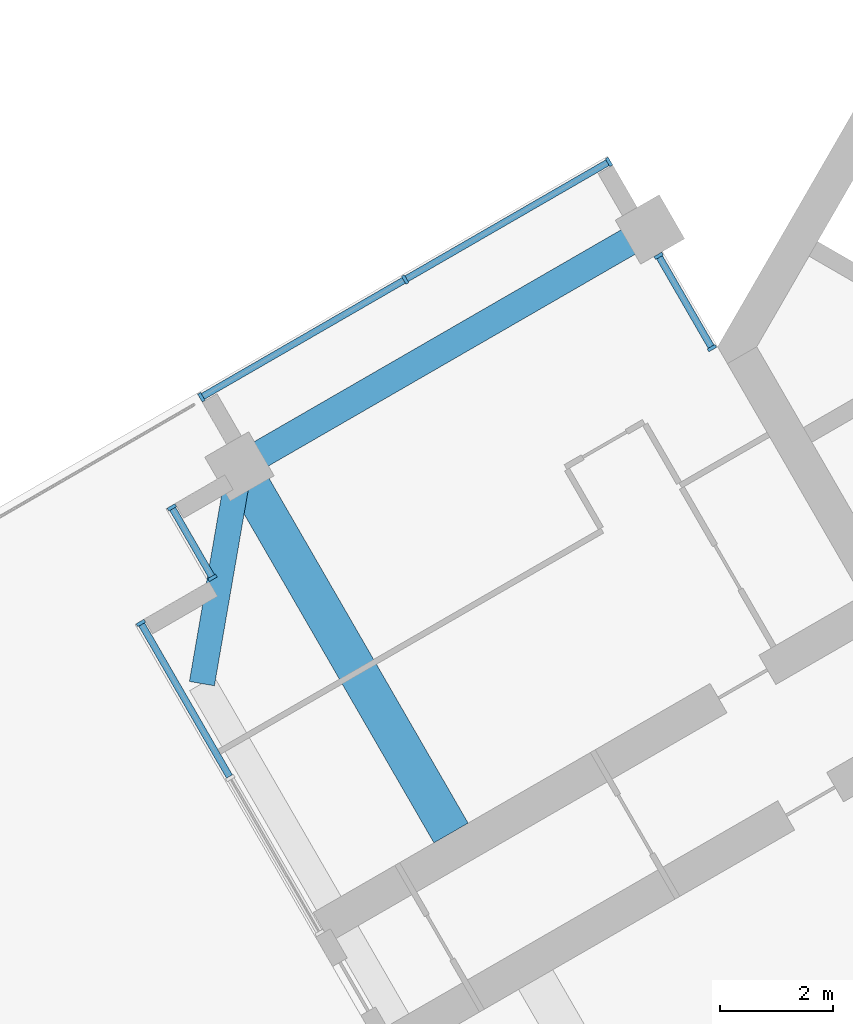
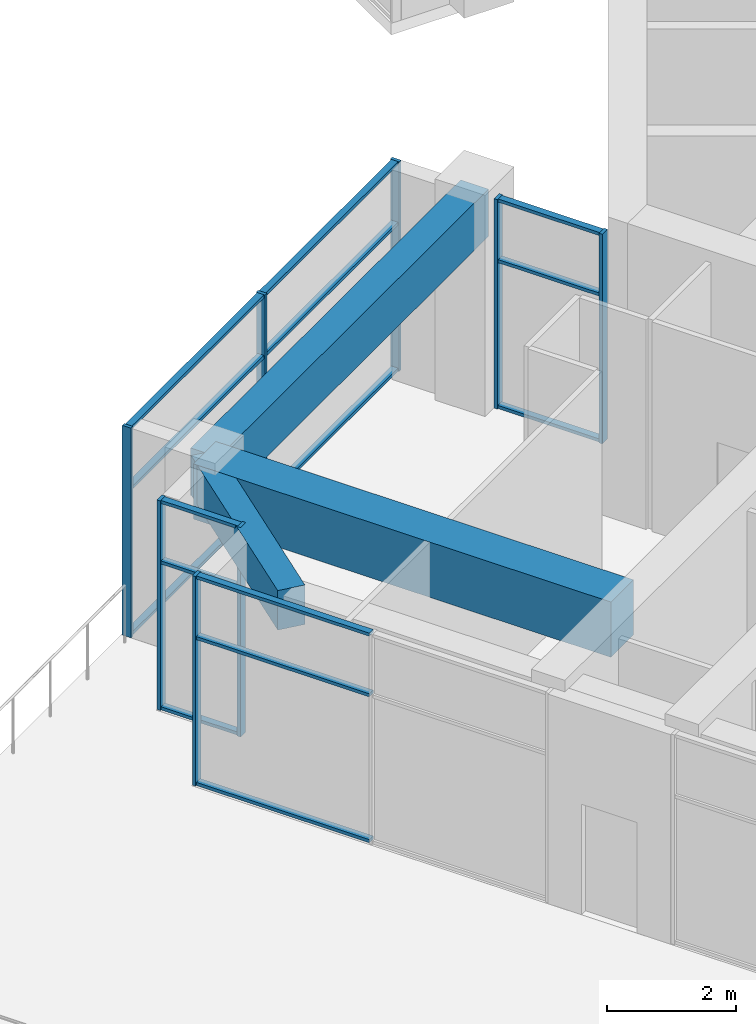
# One storey, part 3 of 13: 23 members, 3 beams, 4 elements without a shape of their own.
"""IFC4 building model written with IfcOpenShell, lengths in metres."""

from ifc_helpers import new_model, si_unit, direction, frame, origin, origin_2d, place, context, subcontext, project, spatial, rectangle, extrude, material, material_profile, profile_set, type_object, element, aggregate, save


model = new_model("IFC4")

# Units and contexts
model_context = context("Model", 3, precision=1e-05, world=origin(), true_north=direction((0.0, 1.0)))
body_context = subcontext(model_context, "Body", "Model", "MODEL_VIEW")
ifc_project = project(units=[si_unit("LENGTHUNIT", "METRE"), si_unit("AREAUNIT", "SQUARE_METRE"), si_unit("VOLUMEUNIT", "CUBIC_METRE"), si_unit("PLANEANGLEUNIT", "RADIAN"), si_unit("MASSUNIT", "GRAM", prefix="KILO")], contexts=[model_context])

# Site, building, storey
site_placement = place(None, origin())
site = spatial("IfcSite", under=ifc_project, at=site_placement, CompositionType="ELEMENT")
building_placement = place(site_placement, origin())
building = spatial("IfcBuilding", under=site, at=building_placement, Name="Impinga Residences", CompositionType="ELEMENT")
storey_placement = place(building_placement, frame((0.0, 0.0, 283.14990234375)))
storey = spatial("IfcBuildingStorey", under=building, at=storey_placement, Name="L71", CompositionType="ELEMENT", Elevation=283.14990234375)

# Beams
ifc_material_1 = material(Name="Concrete C60/75", Category="concrete")
ifc_material_profile_1 = material_profile(ifc_material_1, rectangle(XDim=0.449951171875, YDim=0.75, at=origin_2d()), Name="RC 450x750")
ifc_profile_set_1 = profile_set([ifc_material_profile_1], Name="Concrete C60/75")
beam_type_1 = type_object("IfcBeamType", Name="CB1 450x750 wing end cantilever beam", PredefinedType="BEAM", material=ifc_profile_set_1)
beam_1_placement = place(storey_placement, frame((-21.674560546875, -2.12158203125, 3.60498046875), z_axis=(-0.170296298948, -0.985392901621, 0.0), x_axis=(0.985392901621, -0.170296298948, 0.0)))
element("IfcBeam", 1, at=beam_1_placement, inside=storey, type_object=beam_type_1, Name="Beam CB1 WE W2-WX level L72", PredefinedType="BEAM", context=body_context, shape_type="SweptSolid", body=[
    extrude(rectangle(XDim=0.449951171875, YDim=0.75, at=origin_2d()), origin(), (0.0, 0.0, 1.0), 3.9052734375),
])
ifc_material_profile_2 = material_profile(ifc_material_1, rectangle(XDim=0.699951171875, YDim=1.050048828125, at=origin_2d()), Name="RC 700x1050")
ifc_profile_set_2 = profile_set([ifc_material_profile_2], Name="Concrete C60/75")
beam_type_2 = type_object("IfcBeamType", Name="CG1 700x1050 cross girder on a wing bay line", PredefinedType="BEAM", material=ifc_profile_set_2)
beam_2_placement = place(storey_placement, frame((-17.924560546875, -8.61669921875, 3.455078125), z_axis=(-0.500004234368, 0.866022959057, 0.0), x_axis=(-0.866022959057, -0.500004234368, 0.0)))
element("IfcBeam", 2, at=beam_2_placement, inside=storey, type_object=beam_type_2, Name="Beam CG1 W2 WC/WF level L72", PredefinedType="BEAM", context=body_context, shape_type="SweptSolid", body=[
    extrude(rectangle(XDim=0.699951171875, YDim=1.050048828125, at=origin_2d()), origin(), (0.0, 0.0, 1.0), 7.5),
])

# Curtain wall, member
ifc_material_2 = material(Name="Aluminium stick curtain wall", Category="aluminium")
curtain_wall_type = type_object("IfcCurtainWallType", Name="CW3 penthouse curtain wall", PredefinedType="USERDEFINED", material=ifc_material_2)
curtain_wall_1_placement = place(storey_placement, origin())
curtain_wall_1 = element("IfcCurtainWall", 3, at=curtain_wall_1_placement, inside=storey, type_object=curtain_wall_type, Name="Curtain wall CW3 L71", ObjectType="STICK CURTAIN WALL", PredefinedType="USERDEFINED")
ifc_material_3 = material(Name="Aluminium mullion", Category="aluminium")
ifc_material_profile_3 = material_profile(ifc_material_3, rectangle(XDim=0.06005859375, YDim=0.159912109375, at=origin_2d()), Name="60x160 mullion")
ifc_profile_set_3 = profile_set([ifc_material_profile_3], Name="Aluminium mullion")
member_type_1 = type_object("IfcMemberType", Name="CW3-M mullion 60x160", PredefinedType="MULLION", material=ifc_profile_set_3)
member_1_placement = place(storey_placement, frame((-23.421142578125, -4.896484375, 0.0), z_axis=(0.0, 0.0, 1.0), x_axis=(-0.499999971871, 0.866025420025, 0.0)))
member_1 = element("IfcMember", 4, at=member_1_placement, type_object=member_type_1, Name="CW3 mullion 3", PredefinedType="MULLION", context=body_context, shape_type="SweptSolid", body=[
    extrude(rectangle(XDim=0.06005859375, YDim=0.159912109375, at=origin_2d()), origin(), (0.0, 0.0, 1.0), 3.97998046875),
])

# Curtain wall, members
curtain_wall_2_placement = place(storey_placement, origin())
curtain_wall_2 = element("IfcCurtainWall", 5, at=curtain_wall_2_placement, inside=storey, type_object=curtain_wall_type, Name="Curtain wall CW3 L71", ObjectType="STICK CURTAIN WALL", PredefinedType="USERDEFINED")
member_2_placement = place(storey_placement, frame((-22.152099609375, -4.094482421875, 0.0), z_axis=(0.0, 0.0, 1.0), x_axis=(-0.500000030502, 0.866025386174, 0.0)))
member_2 = element("IfcMember", 6, at=member_2_placement, type_object=member_type_1, Name="CW3 mullion 1", PredefinedType="MULLION", context=body_context, shape_type="SweptSolid", body=[
    extrude(rectangle(XDim=0.06005859375, YDim=0.159912109375, at=origin_2d()), origin(), (0.0, 0.0, 1.0), 3.97998046875),
])
member_3_placement = place(storey_placement, frame((-22.8720703125, -2.847412109375, 0.0), z_axis=(0.0, 0.0, 1.0), x_axis=(-0.500000030502, 0.866025386174, 0.0)))
member_3 = element("IfcMember", 7, at=member_3_placement, type_object=member_type_1, Name="CW3 mullion 2", PredefinedType="MULLION", context=body_context, shape_type="SweptSolid", body=[
    extrude(rectangle(XDim=0.06005859375, YDim=0.159912109375, at=origin_2d()), origin(), (0.0, 0.0, 1.0), 3.97998046875),
])

curtain_wall_3_placement = place(storey_placement, origin())
curtain_wall_3 = element("IfcCurtainWall", 8, at=curtain_wall_3_placement, inside=storey, type_object=curtain_wall_type, Name="Curtain wall CW3 L71", ObjectType="STICK CURTAIN WALL", PredefinedType="USERDEFINED")
member_4_placement = place(storey_placement, frame((-22.3486328125, -0.89404296875, 0.0), z_axis=(0.0, 0.0, 1.0), x_axis=(0.866025392126, 0.500000020194, 0.0)))
member_4 = element("IfcMember", 9, at=member_4_placement, type_object=member_type_1, Name="CW3 mullion 1", PredefinedType="MULLION", context=body_context, shape_type="SweptSolid", body=[
    extrude(rectangle(XDim=0.06005859375, YDim=0.159912109375, at=origin_2d()), origin(), (0.0, 0.0, 1.0), 3.97998046875),
])
member_5_placement = place(storey_placement, frame((-18.7373046875, 1.19091796875, 0.0), z_axis=(0.0, 0.0, 1.0), x_axis=(0.866025392126, 0.500000020194, 0.0)))
member_5 = element("IfcMember", 10, at=member_5_placement, type_object=member_type_1, Name="CW3 mullion 2", PredefinedType="MULLION", context=body_context, shape_type="SweptSolid", body=[
    extrude(rectangle(XDim=0.06005859375, YDim=0.159912109375, at=origin_2d()), origin(), (0.0, 0.0, 1.0), 3.97998046875),
])
member_6_placement = place(storey_placement, frame((-15.1259765625, 3.27587890625, 0.0), z_axis=(0.0, 0.0, 1.0), x_axis=(0.866025392126, 0.500000020194, 0.0)))
member_6 = element("IfcMember", 11, at=member_6_placement, type_object=member_type_1, Name="CW3 mullion 3", PredefinedType="MULLION", context=body_context, shape_type="SweptSolid", body=[
    extrude(rectangle(XDim=0.06005859375, YDim=0.159912109375, at=origin_2d()), origin(), (0.0, 0.0, 1.0), 3.97998046875),
])

curtain_wall_4_placement = place(storey_placement, origin())
curtain_wall_4 = element("IfcCurtainWall", 12, at=curtain_wall_4_placement, inside=storey, type_object=curtain_wall_type, Name="Curtain wall CW3 L71", ObjectType="STICK CURTAIN WALL", PredefinedType="USERDEFINED")
member_7_placement = place(storey_placement, frame((-14.2451171875, 1.610107421875, 0.0), z_axis=(0.0, 0.0, 1.0), x_axis=(0.50000010257, -0.866025344565, 0.0)))
member_7 = element("IfcMember", 13, at=member_7_placement, type_object=member_type_1, Name="CW3 mullion 1", PredefinedType="MULLION", context=body_context, shape_type="SweptSolid", body=[
    extrude(rectangle(XDim=0.06005859375, YDim=0.159912109375, at=origin_2d()), origin(), (0.0, 0.0, 1.0), 3.97998046875),
])
member_8_placement = place(storey_placement, frame((-13.301513671875, -0.02392578125, 0.0), z_axis=(0.0, 0.0, 1.0), x_axis=(0.50000010257, -0.866025344565, 0.0)))
member_8 = element("IfcMember", 14, at=member_8_placement, type_object=member_type_1, Name="CW3 mullion 2", PredefinedType="MULLION", context=body_context, shape_type="SweptSolid", body=[
    extrude(rectangle(XDim=0.06005859375, YDim=0.159912109375, at=origin_2d()), origin(), (0.0, 0.0, 1.0), 3.97998046875),
])

# Member
ifc_material_4 = material(Name="Aluminium transom", Category="aluminium")
ifc_material_profile_4 = material_profile(ifc_material_4, rectangle(XDim=0.06005859375, YDim=0.1201171875, at=origin_2d()), Name="60x120 transom")
ifc_profile_set_4 = profile_set([ifc_material_profile_4], Name="Aluminium transom")
member_type_2 = type_object("IfcMemberType", Name="CW3-T transom 60x120", PredefinedType="USERDEFINED", material=ifc_profile_set_4)
member_9_placement = place(storey_placement, frame((-21.85107421875, -7.615966796875, 0.030029296875), z_axis=(-0.499980678337, 0.866036558865, 0.0), x_axis=(0.0, 0.0, 1.0)))
member_9 = element("IfcMember", 15, at=member_9_placement, type_object=member_type_2, Name="CW3 transom 2.1", ObjectType="TRANSOM", PredefinedType="USERDEFINED", context=body_context, shape_type="SweptSolid", body=[
    extrude(rectangle(XDim=0.06005859375, YDim=0.1201171875, at=origin_2d()), origin(), (0.0, 0.0, 1.0), 3.10986328125),
])

member_10_placement = place(storey_placement, frame((-21.85107421875, -7.615966796875, 2.800048828125), z_axis=(-0.499980678337, 0.866036558865, 0.0), x_axis=(0.0, 0.0, 1.0)))
member_10 = element("IfcMember", 16, at=member_10_placement, type_object=member_type_2, Name="CW3 transom 2.2", ObjectType="TRANSOM", PredefinedType="USERDEFINED", context=body_context, shape_type="SweptSolid", body=[
    extrude(rectangle(XDim=0.06005859375, YDim=0.1201171875, at=origin_2d()), origin(), (0.0, 0.0, 1.0), 3.10986328125),
])

member_11_placement = place(storey_placement, frame((-21.85107421875, -7.615966796875, 3.9501953125), z_axis=(-0.499980678337, 0.866036558865, 0.0), x_axis=(0.0, 0.0, 1.0)))
member_11 = element("IfcMember", 17, at=member_11_placement, type_object=member_type_2, Name="CW3 transom 2.3", ObjectType="TRANSOM", PredefinedType="USERDEFINED", context=body_context, shape_type="SweptSolid", body=[
    extrude(rectangle(XDim=0.06005859375, YDim=0.1201171875, at=origin_2d()), origin(), (0.0, 0.0, 1.0), 3.10986328125),
])

aggregate(curtain_wall_1, [member_1, member_9, member_10, member_11])

member_12_placement = place(storey_placement, frame((-22.1669921875, -4.068603515625, 0.030029296875), z_axis=(-0.499982807329, 0.86603532975, 0.0), x_axis=(0.0, 0.0, 1.0)))
member_12 = element("IfcMember", 18, at=member_12_placement, type_object=member_type_2, Name="CW3 transom 1.1", ObjectType="TRANSOM", PredefinedType="USERDEFINED", context=body_context, shape_type="SweptSolid", body=[
    extrude(rectangle(XDim=0.06005859375, YDim=0.1201171875, at=origin_2d()), origin(), (0.0, 0.0, 1.0), 1.3798828125),
])

member_13_placement = place(storey_placement, frame((-22.1669921875, -4.068603515625, 2.800048828125), z_axis=(-0.499982807329, 0.86603532975, 0.0), x_axis=(0.0, 0.0, 1.0)))
member_13 = element("IfcMember", 19, at=member_13_placement, type_object=member_type_2, Name="CW3 transom 1.2", ObjectType="TRANSOM", PredefinedType="USERDEFINED", context=body_context, shape_type="SweptSolid", body=[
    extrude(rectangle(XDim=0.06005859375, YDim=0.1201171875, at=origin_2d()), origin(), (0.0, 0.0, 1.0), 1.3798828125),
])

member_14_placement = place(storey_placement, frame((-22.1669921875, -4.068603515625, 3.9501953125), z_axis=(-0.499982807329, 0.86603532975, 0.0), x_axis=(0.0, 0.0, 1.0)))
member_14 = element("IfcMember", 20, at=member_14_placement, type_object=member_type_2, Name="CW3 transom 1.3", ObjectType="TRANSOM", PredefinedType="USERDEFINED", context=body_context, shape_type="SweptSolid", body=[
    extrude(rectangle(XDim=0.06005859375, YDim=0.1201171875, at=origin_2d()), origin(), (0.0, 0.0, 1.0), 1.3798828125),
])

aggregate(curtain_wall_2, [member_2, member_3, member_12, member_13, member_14])

member_15_placement = place(storey_placement, frame((-22.32275390625, -0.879150390625, 0.030029296875), z_axis=(0.866045128991, 0.499965833383, 0.0), x_axis=(0.0, 0.0, 1.0)))
member_15 = element("IfcMember", 21, at=member_15_placement, type_object=member_type_2, Name="CW3 transom 1.1", ObjectType="TRANSOM", PredefinedType="USERDEFINED", context=body_context, shape_type="SweptSolid", body=[
    extrude(rectangle(XDim=0.06005859375, YDim=0.1201171875, at=origin_2d()), origin(), (0.0, 0.0, 1.0), 4.110107421875),
])

member_16_placement = place(storey_placement, frame((-22.32275390625, -0.879150390625, 2.800048828125), z_axis=(0.866045128991, 0.499965833383, 0.0), x_axis=(0.0, 0.0, 1.0)))
member_16 = element("IfcMember", 22, at=member_16_placement, type_object=member_type_2, Name="CW3 transom 1.2", ObjectType="TRANSOM", PredefinedType="USERDEFINED", context=body_context, shape_type="SweptSolid", body=[
    extrude(rectangle(XDim=0.06005859375, YDim=0.1201171875, at=origin_2d()), origin(), (0.0, 0.0, 1.0), 4.110107421875),
])

member_17_placement = place(storey_placement, frame((-22.32275390625, -0.879150390625, 3.9501953125), z_axis=(0.866045128991, 0.499965833383, 0.0), x_axis=(0.0, 0.0, 1.0)))
member_17 = element("IfcMember", 23, at=member_17_placement, type_object=member_type_2, Name="CW3 transom 1.3", ObjectType="TRANSOM", PredefinedType="USERDEFINED", context=body_context, shape_type="SweptSolid", body=[
    extrude(rectangle(XDim=0.06005859375, YDim=0.1201171875, at=origin_2d()), origin(), (0.0, 0.0, 1.0), 4.110107421875),
])

member_18_placement = place(storey_placement, frame((-18.71142578125, 1.205810546875, 0.030029296875), z_axis=(0.866019409031, 0.500010383074, 0.0), x_axis=(0.0, 0.0, 1.0)))
member_18 = element("IfcMember", 24, at=member_18_placement, type_object=member_type_2, Name="CW3 transom 2.1", ObjectType="TRANSOM", PredefinedType="USERDEFINED", context=body_context, shape_type="SweptSolid", body=[
    extrude(rectangle(XDim=0.06005859375, YDim=0.1201171875, at=origin_2d()), origin(), (0.0, 0.0, 1.0), 4.1103515625),
])

member_19_placement = place(storey_placement, frame((-18.71142578125, 1.205810546875, 2.800048828125), z_axis=(0.866019409031, 0.500010383074, 0.0), x_axis=(0.0, 0.0, 1.0)))
member_19 = element("IfcMember", 25, at=member_19_placement, type_object=member_type_2, Name="CW3 transom 2.2", ObjectType="TRANSOM", PredefinedType="USERDEFINED", context=body_context, shape_type="SweptSolid", body=[
    extrude(rectangle(XDim=0.06005859375, YDim=0.1201171875, at=origin_2d()), origin(), (0.0, 0.0, 1.0), 4.1103515625),
])

member_20_placement = place(storey_placement, frame((-18.71142578125, 1.205810546875, 3.9501953125), z_axis=(0.866019409031, 0.500010383074, 0.0), x_axis=(0.0, 0.0, 1.0)))
member_20 = element("IfcMember", 26, at=member_20_placement, type_object=member_type_2, Name="CW3 transom 2.3", ObjectType="TRANSOM", PredefinedType="USERDEFINED", context=body_context, shape_type="SweptSolid", body=[
    extrude(rectangle(XDim=0.06005859375, YDim=0.1201171875, at=origin_2d()), origin(), (0.0, 0.0, 1.0), 4.1103515625),
])

aggregate(curtain_wall_3, [member_4, member_5, member_6, member_15, member_16, member_17, member_18, member_19, member_20])

member_21_placement = place(storey_placement, frame((-14.230224609375, 1.584228515625, 0.030029296875), z_axis=(0.500019332402, -0.866014241929, 0.0), x_axis=(0.0, 0.0, 1.0)))
member_21 = element("IfcMember", 27, at=member_21_placement, type_object=member_type_2, Name="CW3 transom 1.1", ObjectType="TRANSOM", PredefinedType="USERDEFINED", context=body_context, shape_type="SweptSolid", body=[
    extrude(rectangle(XDim=0.06005859375, YDim=0.1201171875, at=origin_2d()), origin(), (0.0, 0.0, 1.0), 1.8271484375),
])

member_22_placement = place(storey_placement, frame((-14.230224609375, 1.584228515625, 2.800048828125), z_axis=(0.500019332402, -0.866014241929, 0.0), x_axis=(0.0, 0.0, 1.0)))
member_22 = element("IfcMember", 28, at=member_22_placement, type_object=member_type_2, Name="CW3 transom 1.2", ObjectType="TRANSOM", PredefinedType="USERDEFINED", context=body_context, shape_type="SweptSolid", body=[
    extrude(rectangle(XDim=0.06005859375, YDim=0.1201171875, at=origin_2d()), origin(), (0.0, 0.0, 1.0), 1.8271484375),
])

member_23_placement = place(storey_placement, frame((-14.230224609375, 1.584228515625, 3.9501953125), z_axis=(0.500019332402, -0.866014241929, 0.0), x_axis=(0.0, 0.0, 1.0)))
member_23 = element("IfcMember", 29, at=member_23_placement, type_object=member_type_2, Name="CW3 transom 1.3", ObjectType="TRANSOM", PredefinedType="USERDEFINED", context=body_context, shape_type="SweptSolid", body=[
    extrude(rectangle(XDim=0.06005859375, YDim=0.1201171875, at=origin_2d()), origin(), (0.0, 0.0, 1.0), 1.8271484375),
])

aggregate(curtain_wall_4, [member_7, member_8, member_21, member_22, member_23])

# Beam
ifc_material_profile_5 = material_profile(ifc_material_1, rectangle(XDim=0.5, YDim=0.89990234375, at=origin_2d()), Name="RC 500x900")
ifc_profile_set_5 = profile_set([ifc_material_profile_5], Name="Concrete C60/75")
beam_type_3 = type_object("IfcBeamType", Name="SB1 500x900 perimeter spandrel beam", PredefinedType="SPANDREL", material=ifc_profile_set_5)
beam_3_placement = place(storey_placement, frame((-14.39990234375, 2.078369140625, 3.530029296875), z_axis=(-0.86602925447, -0.499993330357, 0.0), x_axis=(0.499993330357, -0.86602925447, 0.0)))
element("IfcBeam", 30, at=beam_3_placement, inside=storey, type_object=beam_type_3, Name="Beam SB1 WF W1-W2 level L72", PredefinedType="SPANDREL", context=body_context, shape_type="SweptSolid", body=[
    extrude(rectangle(XDim=0.5, YDim=0.89990234375, at=origin_2d()), origin(), (0.0, 0.0, 1.0), 8.39990234375),
])

save(model, "model.ifc")
